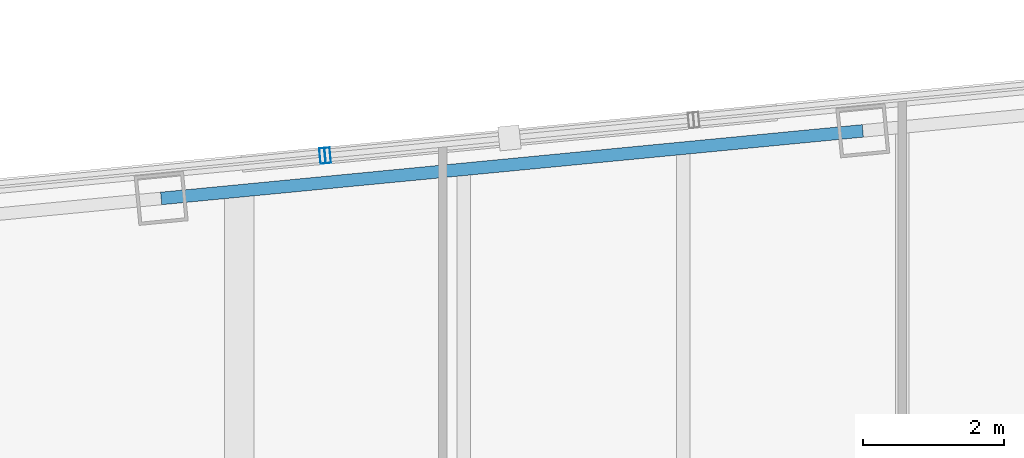
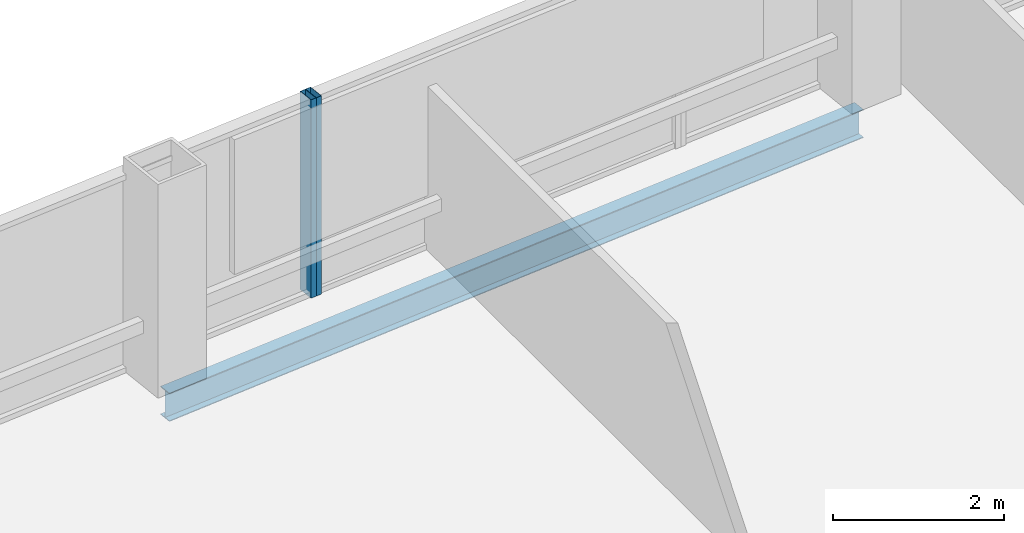
# One storey, part 19 of 29: 2 members, 1 beam, 2 elements without a shape of their own.
"""IFC4 building model written with IfcOpenShell, lengths in metres."""

from ifc_helpers import new_model, si_unit, direction, frame, origin, origin_2d, place, context, subcontext, project, spatial, hollow_rectangle, i_section, extrude, material, layer, layer_set, material_profile, profile_set, type_object, element, aggregate, save


model = new_model("IFC4")

# Units and contexts
model_context = context("Model", 3, precision=1e-05, world=origin(), true_north=direction((0.0, 1.0)))
body_context = subcontext(model_context, "Body", "Model", "MODEL_VIEW")
ifc_project = project(units=[si_unit("LENGTHUNIT", "METRE"), si_unit("AREAUNIT", "SQUARE_METRE"), si_unit("VOLUMEUNIT", "CUBIC_METRE"), si_unit("PLANEANGLEUNIT", "RADIAN"), si_unit("MASSUNIT", "GRAM", prefix="KILO")], contexts=[model_context])

# Site, building, storey
site_placement = place(None, origin())
site = spatial("IfcSite", under=ifc_project, at=site_placement, CompositionType="ELEMENT")
building_placement = place(site_placement, origin())
building = spatial("IfcBuilding", under=site, at=building_placement, Name="Qhalaya Broadcast Tower", CompositionType="ELEMENT")
storey_placement = place(building_placement, frame((0.0, 0.0, 177.5)))
storey = spatial("IfcBuildingStorey", under=building, at=storey_placement, Name="L52", CompositionType="ELEMENT", Elevation=177.5)

# Curtain wall, member
ifc_material_1 = material(Name="Fired Architectural Terracotta", Category="masonry")
ifc_layer_1 = layer(ifc_material_1, 0.219970703125, Name="Fired Architectural Terracotta")
ifc_layer_set_1 = layer_set([ifc_layer_1], Name="Fired Architectural Terracotta")
curtain_wall_type_1 = type_object("IfcCurtainWallType", Name="Block-Cap Unitised Terracotta Spandrel Wall CW-07", PredefinedType="NOTDEFINED", material=ifc_layer_set_1)
curtain_wall_1_placement = place(storey_placement, origin())
curtain_wall_1 = element("IfcCurtainWall", 1, at=curtain_wall_1_placement, inside=storey, type_object=curtain_wall_type_1, Name="L52 Unitised Curtain Wall L52-CW-N4", PredefinedType="NOTDEFINED")
ifc_material_2 = material(Name="Anodised Aluminium 6063-T6", Category="aluminium")
ifc_material_profile_1 = material_profile(ifc_material_2, hollow_rectangle(XDim=0.074951171875, YDim=0.219970703125, WallThickness=0.00390625, at=origin_2d()), Name="ALU-MUL 75x220x4")
ifc_profile_set_1 = profile_set([ifc_material_profile_1], Name="Anodised Aluminium 6063-T6")
member_type = type_object("IfcMemberType", Name="Unitised Curtain-Wall Mullion M01", PredefinedType="MULLION", material=ifc_profile_set_1)
member_1_placement = place(storey_placement, frame((-8.124267578125, 24.225830078125, 0.0), z_axis=(0.0, 0.0, 1.0), x_axis=(-0.995397089148, -0.095836500956, 0.0)))
member_1 = element("IfcMember", 2, at=member_1_placement, type_object=member_type, Name="CW-07 mullion 2", PredefinedType="MULLION", context=body_context, shape_type="SweptSolid", body=[
    extrude(hollow_rectangle(XDim=0.074951171875, YDim=0.219970703125, WallThickness=0.00390625, at=origin_2d()), origin(), (0.0, 0.0, 1.0), 2.830078125),
])
aggregate(curtain_wall_1, [member_1])

ifc_material_3 = material(Name="Solar-Control Low-E Triple Glazing", Category="glass")
ifc_layer_2 = layer(ifc_material_3, 0.219970703125, Name="Solar-Control Low-E Triple Glazing")
ifc_layer_set_2 = layer_set([ifc_layer_2], Name="Solar-Control Low-E Triple Glazing")
curtain_wall_type_2 = type_object("IfcCurtainWallType", Name="Even-Block 4-Storey Double-Module Curtain Wall CW-03", PredefinedType="NOTDEFINED", material=ifc_layer_set_2)
curtain_wall_2_placement = place(storey_placement, origin())
curtain_wall_2 = element("IfcCurtainWall", 3, at=curtain_wall_2_placement, inside=storey, type_object=curtain_wall_type_2, Name="L52 Unitised Curtain Wall L52-CW-N5", PredefinedType="NOTDEFINED")
member_2_placement = place(storey_placement, frame((-8.198974609375, 24.21875, 0.0), z_axis=(0.0, 0.0, 1.0), x_axis=(-0.995395950784, -0.095848323733, 0.0)))
member_2 = element("IfcMember", 4, at=member_2_placement, type_object=member_type, Name="CW-03 mullion 1", PredefinedType="MULLION", context=body_context, shape_type="SweptSolid", body=[
    extrude(hollow_rectangle(XDim=0.074951171875, YDim=0.219970703125, WallThickness=0.00390625, at=origin_2d()), origin(), (0.0, 0.0, 1.0), 2.830078125),
])
aggregate(curtain_wall_2, [member_2])

# Beam
ifc_material_4 = material(Name="Structural Steel ASTM A992 Grade 50", Category="steel")
ifc_material_profile_2 = material_profile(ifc_material_4, i_section(OverallWidth=0.177978515625, OverallDepth=0.406005859375, WebThickness=0.0078125, FlangeThickness=0.0126953125, at=origin_2d()), Name="W16X40")
ifc_profile_set_2 = profile_set([ifc_material_profile_2], Name="Structural Steel ASTM A992 Grade 50")
beam_type = type_object("IfcBeamType", Name="Upper Perimeter Spandrel Beam SP2", PredefinedType="SPANDREL", material=ifc_profile_set_2)
beam_placement = place(storey_placement, frame((-0.558837890625, 24.572509765625, -0.423095703125), z_axis=(-0.995395510024, -0.095852900965, 0.0), x_axis=(0.095852900965, -0.995395510024, 0.0)))
element("IfcBeam", 5, at=beam_placement, inside=storey, type_object=beam_type, Name="L52 SP2 L52-SPR-10", PredefinedType="SPANDREL", context=body_context, shape_type="SweptSolid", body=[
    extrude(i_section(OverallWidth=0.177978515625, OverallDepth=0.406005859375, WebThickness=0.0078125, FlangeThickness=0.0126953125, at=origin_2d()), origin(), (0.0, 0.0, 1.0), 9.966552734375),
])

save(model, "model.ifc")
